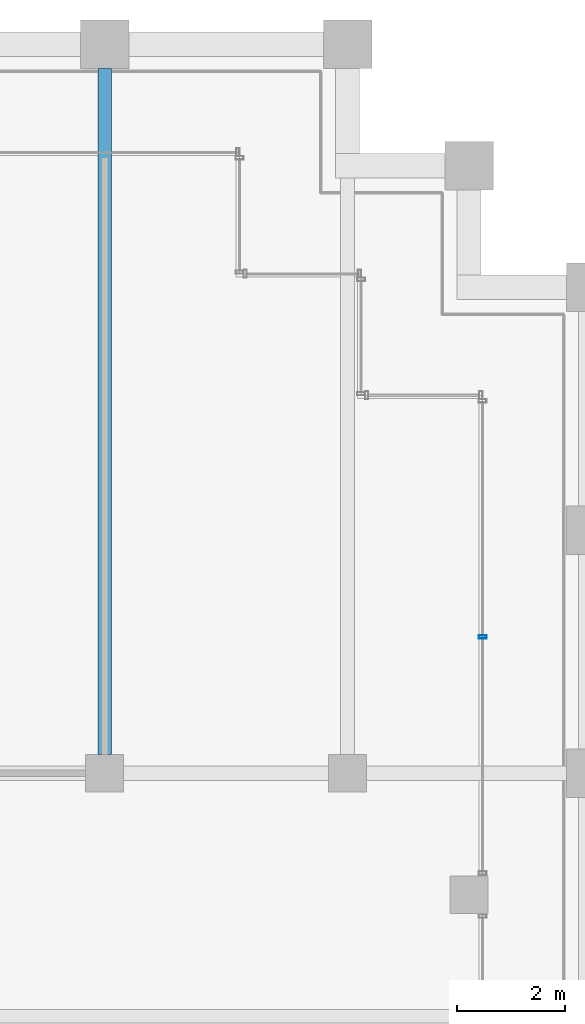
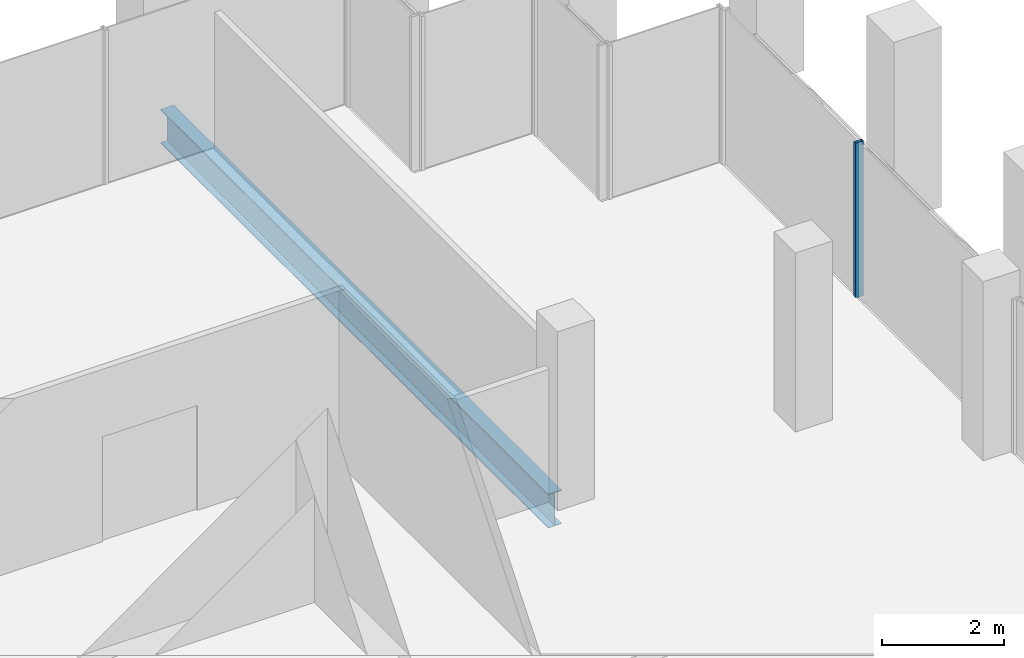
# One storey, part 24 of 40: 1 beam, 1 member, 1 element without a shape of its own.
"""IFC4 building model written with IfcOpenShell, lengths in metres."""

from ifc_helpers import new_model, si_unit, direction, frame, origin, origin_2d, place, context, subcontext, project, spatial, hollow_rectangle, i_section, extrude, material, material_profile, profile_set, type_object, element, aggregate, save


model = new_model("IFC4")

# Units and contexts
model_context = context("Model", 3, precision=1e-05, world=origin(), true_north=direction((0.0, 1.0)))
body_context = subcontext(model_context, "Body", "Model", "MODEL_VIEW")
ifc_project = project(units=[si_unit("LENGTHUNIT", "METRE"), si_unit("AREAUNIT", "SQUARE_METRE"), si_unit("VOLUMEUNIT", "CUBIC_METRE"), si_unit("PLANEANGLEUNIT", "RADIAN"), si_unit("MASSUNIT", "GRAM", prefix="KILO")], contexts=[model_context])

# Site, building, storey
site_placement = place(None, origin())
site = spatial("IfcSite", under=ifc_project, at=site_placement, CompositionType="ELEMENT")
building_placement = place(site_placement, origin())
building = spatial("IfcBuilding", under=site, at=building_placement, Name="Altepetl Exchange Towers", CompositionType="ELEMENT")
storey_placement = place(building_placement, frame((0.0, 0.0, 154.60009765625)))
storey = spatial("IfcBuildingStorey", under=building, at=storey_placement, Name="L38", CompositionType="ELEMENT", Elevation=154.60009765625)

# Beam
ifc_material_1 = material(Name="Steel S355", Category="steel")
ifc_material_profile_1 = material_profile(ifc_material_1, i_section(OverallWidth=0.25390625, OverallDepth=0.68408203125, WebThickness=0.012451171875, FlangeThickness=0.018798828125, at=origin_2d()), Name="W27X94")
ifc_profile_set_1 = profile_set([ifc_material_profile_1], Name="Steel S355")
beam_type = type_object("IfcBeamType", Name="Floor beam W27X94", PredefinedType="BEAM", material=ifc_profile_set_1)
beam_placement = place(storey_placement, frame((63.0, 58.85009765625, -0.4921875), z_axis=(0.0, 1.0, 0.0), x_axis=(-1.0, 0.0, 0.0)))
element("IfcBeam", 1, at=beam_placement, inside=storey, type_object=beam_type, Name="bm:A:L38:004", PredefinedType="BEAM", context=body_context, shape_type="SweptSolid", body=[
    extrude(i_section(OverallWidth=0.25390625, OverallDepth=0.68408203125, WebThickness=0.012451171875, FlangeThickness=0.018798828125, at=origin_2d()), origin(), (0.0, 0.0, 1.0), 12.699951171875),
])

# Curtain wall, member
ifc_material_2 = material(Name="Aluminium 6063-T6 glazing", Category="aluminium")
curtain_wall_type = type_object("IfcCurtainWallType", Name="Loggia glazing system", PredefinedType="NOTDEFINED", material=ifc_material_2)
curtain_wall_placement = place(storey_placement, origin())
curtain_wall = element("IfcCurtainWall", 2, at=curtain_wall_placement, inside=storey, type_object=curtain_wall_type, Name="CW1 run", PredefinedType="NOTDEFINED")
ifc_material_3 = material(Name="Aluminium 6063-T6", Category="aluminium")
ifc_material_profile_2 = material_profile(ifc_material_3, hollow_rectangle(XDim=0.06005859375, YDim=0.14990234375, WallThickness=0.0029296875, at=origin_2d()), Name="Mullion 60x150 aluminium")
ifc_profile_set_2 = profile_set([ifc_material_profile_2], Name="Aluminium 6063-T6")
member_type = type_object("IfcMemberType", Name="Mullion 60x150 aluminium", PredefinedType="MULLION", material=ifc_profile_set_2)
member_placement = place(storey_placement, frame((70.0, 61.0224609375, 0.0), z_axis=(0.0, 0.0, 1.0), x_axis=(0.0, 1.0, 0.0)))
member = element("IfcMember", 3, at=member_placement, type_object=member_type, Name="MU1 mullion", PredefinedType="MULLION", context=body_context, shape_type="SweptSolid", body=[
    extrude(hollow_rectangle(XDim=0.06005859375, YDim=0.14990234375, WallThickness=0.0029296875, at=origin_2d()), origin(), (0.0, 0.0, 1.0), 3.099853515625),
])
aggregate(curtain_wall, [member])

save(model, "model.ifc")
